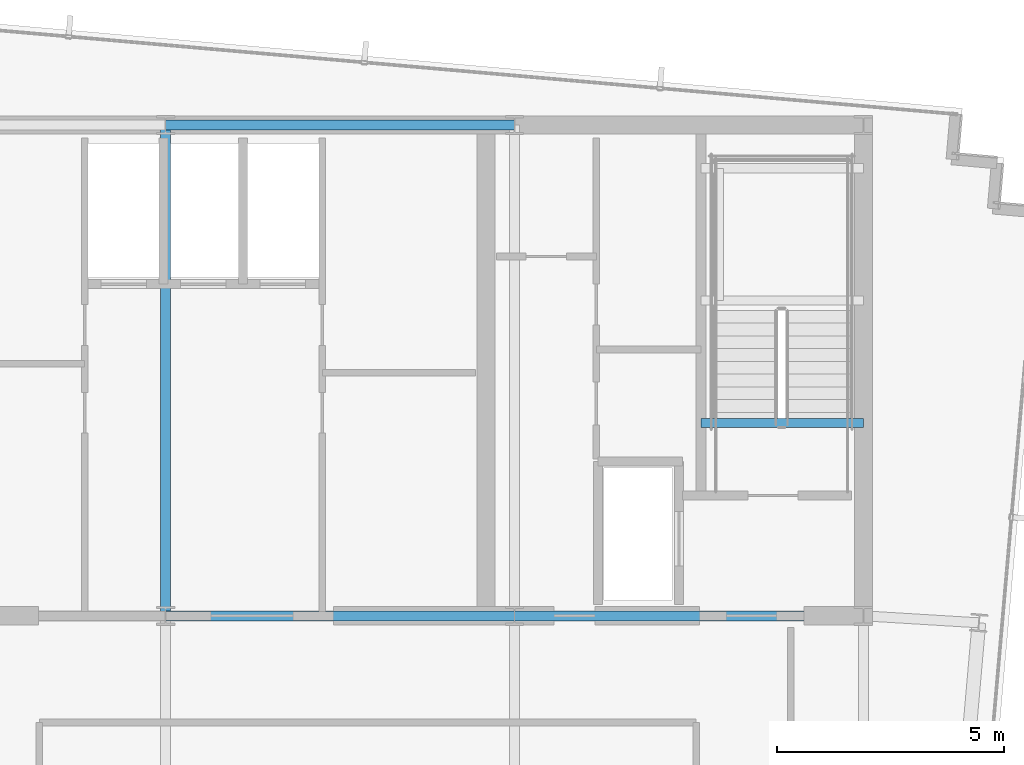
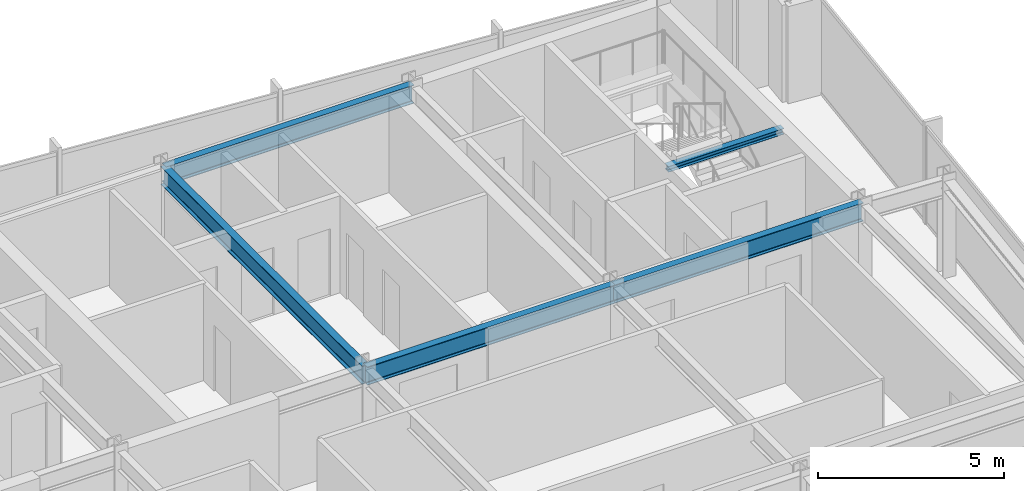
# One storey, part 18 of 32: 5 beams.
"""IFC4 building model written with IfcOpenShell, lengths in metres."""

from ifc_helpers import new_model, si_unit, direction, frame, origin, origin_2d, place, context, subcontext, project, spatial, i_section, extrude, material, material_profile, profile_set, type_object, element, save


model = new_model("IFC4")

# Units and contexts
model_context = context("Model", 3, precision=1e-05, world=origin(), true_north=direction((0.0, 1.0)))
body_context = subcontext(model_context, "Body", "Model", "MODEL_VIEW")
ifc_project = project(units=[si_unit("LENGTHUNIT", "METRE"), si_unit("AREAUNIT", "SQUARE_METRE"), si_unit("VOLUMEUNIT", "CUBIC_METRE"), si_unit("PLANEANGLEUNIT", "RADIAN"), si_unit("MASSUNIT", "GRAM", prefix="KILO")], contexts=[model_context])

# Site, building, storey
site_placement = place(None, origin())
site = spatial("IfcSite", under=ifc_project, at=site_placement, CompositionType="ELEMENT")
building_placement = place(site_placement, origin())
building = spatial("IfcBuilding", under=site, at=building_placement, Name="Yelkora Congress Tower", CompositionType="ELEMENT")
storey_placement = place(building_placement, frame((0.0, 0.0, 262.5)))
storey = spatial("IfcBuildingStorey", under=building, at=storey_placement, Name="L73", CompositionType="ELEMENT", Elevation=262.5)

# Beams
ifc_material = material(Name="Steel S355J2", Category="steel")
ifc_material_profile_1 = material_profile(ifc_material, i_section(OverallWidth=0.219970703125, OverallDepth=0.60009765625, WebThickness=0.011962890625, FlangeThickness=0.01904296875, FilletRadius=0.02392578125, at=origin_2d()), Name="IPE 600")
ifc_profile_set_1 = profile_set([ifc_material_profile_1], Name="Steel S355J2")
beam_type_1 = type_object("IfcBeamType", Name="BM-GIRD-IPE600", PredefinedType="BEAM", material=ifc_profile_set_1)
for number, where, z_axis, x_axis, name in (
    (1, (38.39990234375, 46.199951171875, 2.8798828125), (1.0, 0.0, 0.0), (0.0, 1.0, 0.0), "L73 Core North Girder 3"),
    (2, (38.39990234375, 35.39990234375, 2.8798828125), (1.0, 0.0, 0.0), (0.0, 1.0, 0.0), "L73 Core South Girder 3"),
):
    element("IfcBeam", number, at=place(storey_placement, frame(where, z_axis=z_axis, x_axis=x_axis)), inside=storey, type_object=beam_type_1, Name=name, PredefinedType="BEAM", context=body_context, shape_type="SweptSolid", body=[
        extrude(i_section(OverallWidth=0.219970703125, OverallDepth=0.60009765625, WebThickness=0.011962890625, FlangeThickness=0.01904296875, FilletRadius=0.02392578125, at=origin_2d()), origin(), (0.0, 0.0, 1.0), 7.68017578125),
    ])
beam_1_placement = place(storey_placement, frame((46.080078125, 35.39990234375, 2.8798828125), z_axis=(1.0, 0.0, 0.0), x_axis=(0.0, 1.0, 0.0)))
element("IfcBeam", 3, at=beam_1_placement, inside=storey, type_object=beam_type_1, Name="L73 Core South Girder 4", PredefinedType="BEAM", context=body_context, shape_type="SweptSolid", body=[
    extrude(i_section(OverallWidth=0.219970703125, OverallDepth=0.60009765625, WebThickness=0.011962890625, FlangeThickness=0.01904296875, FilletRadius=0.02392578125, at=origin_2d()), origin(), (0.0, 0.0, 1.0), 7.679931640625),
])
beam_2_placement = place(storey_placement, frame((38.39990234375, 35.39990234375, 2.8798828125), z_axis=(0.0, 1.0, 0.0), x_axis=(-1.0, 0.0, 0.0)))
element("IfcBeam", 4, at=beam_2_placement, inside=storey, type_object=beam_type_1, Name="L73 Core Tie Girder MC-S3", PredefinedType="BEAM", context=body_context, shape_type="SweptSolid", body=[
    extrude(i_section(OverallWidth=0.219970703125, OverallDepth=0.60009765625, WebThickness=0.011962890625, FlangeThickness=0.01904296875, FilletRadius=0.02392578125, at=origin_2d()), origin(), (0.0, 0.0, 1.0), 10.800048828125),
])
ifc_material_profile_2 = material_profile(ifc_material, i_section(OverallWidth=0.199951171875, OverallDepth=0.18994140625, WebThickness=0.006591796875, FlangeThickness=0.010009765625, FilletRadius=0.01806640625, at=origin_2d()), Name="HEA 200")
ifc_profile_set_2 = profile_set([ifc_material_profile_2], Name="Steel S355J2")
beam_type_2 = type_object("IfcBeamType", Name="BM-LAND-HEA200", PredefinedType="BEAM", material=ifc_profile_set_2)
beam_3_placement = place(storey_placement, frame((50.179931640625, 39.639892578125, 2.947509765625), z_axis=(1.0, 0.0, 0.0), x_axis=(0.0, 1.0, 0.0)))
element("IfcBeam", 5, at=beam_3_placement, inside=storey, type_object=beam_type_2, Name="ST-02 L73 Floor Arrival Stringer Header Beam", PredefinedType="BEAM", context=body_context, shape_type="SweptSolid", body=[
    extrude(i_section(OverallWidth=0.199951171875, OverallDepth=0.18994140625, WebThickness=0.006591796875, FlangeThickness=0.010009765625, FilletRadius=0.01806640625, at=origin_2d()), origin(), (0.0, 0.0, 1.0), 3.580078125),
])

save(model, "model.ifc")
